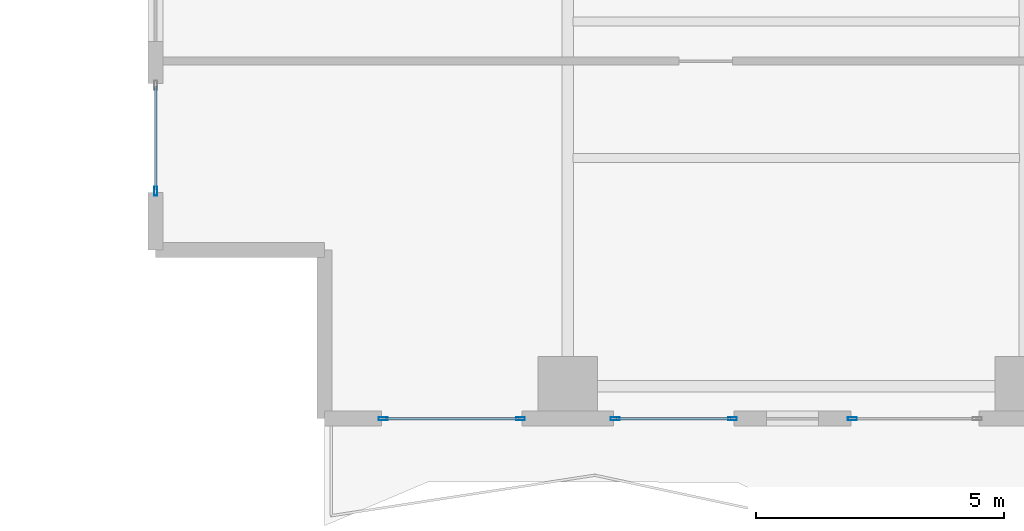
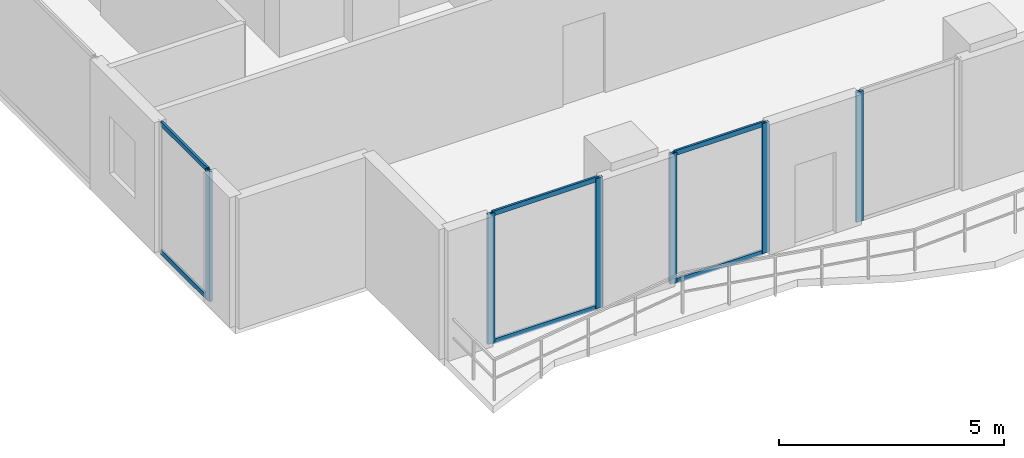
# One storey, part 2 of 33: 12 members, 4 elements without a shape of their own.
"""IFC4 building model written with IfcOpenShell, lengths in metres."""

from ifc_helpers import new_model, si_unit, direction, frame, origin, origin_2d, place, context, subcontext, project, spatial, hollow_rectangle, extrude, material, layer, layer_set, material_profile, profile_set, type_object, element, aggregate, save


model = new_model("IFC4")

# Units and contexts
model_context = context("Model", 3, precision=1e-05, world=origin(), true_north=direction((0.0, 1.0)))
body_context = subcontext(model_context, "Body", "Model", "MODEL_VIEW")
ifc_project = project(units=[si_unit("LENGTHUNIT", "METRE"), si_unit("AREAUNIT", "SQUARE_METRE"), si_unit("VOLUMEUNIT", "CUBIC_METRE"), si_unit("PLANEANGLEUNIT", "RADIAN"), si_unit("MASSUNIT", "GRAM", prefix="KILO")], contexts=[model_context])

# Site, building, storey
site_placement = place(None, origin())
site = spatial("IfcSite", under=ifc_project, at=site_placement, CompositionType="ELEMENT")
building_placement = place(site_placement, origin())
building = spatial("IfcBuilding", under=site, at=building_placement, Name="Zuhayl Quay Hotel", CompositionType="ELEMENT")
storey_placement = place(building_placement, frame((0.0, 0.0, 211.14990234375)))
storey = spatial("IfcBuildingStorey", under=building, at=storey_placement, Name="L53", CompositionType="ELEMENT", Elevation=211.14990234375)

# Curtain wall, member
ifc_material_1 = material(Name="Anodised Aluminium 6063-T6", Category="aluminium")
ifc_layer = layer(ifc_material_1, 0.175048828125, Name="Anodised Aluminium 6063-T6", Category="aluminium")
ifc_layer_set = layer_set([ifc_layer], Name="Anodised Aluminium 6063-T6")
curtain_wall_type = type_object("IfcCurtainWallType", Name="CW_SYS_Z3", PredefinedType="USERDEFINED", material=ifc_layer_set)
curtain_wall_1_placement = place(storey_placement, origin())
curtain_wall_1 = element("IfcCurtainWall", 1, at=curtain_wall_1_placement, inside=storey, type_object=curtain_wall_type, Name="L53 Curtain Wall ENV_L53_E02_CW1", ObjectType="UNITISED CURTAIN WALL", PredefinedType="USERDEFINED")
ifc_material_2 = material(Name="Black-anodised aluminium 6063-T6", Category="aluminium")
ifc_material_profile_1 = material_profile(ifc_material_2, hollow_rectangle(XDim=0.06494140625, YDim=0.179931640625, WallThickness=0.00341796875, at=origin_2d()), Name="ALU180X65")
ifc_profile_set_1 = profile_set([ifc_material_profile_1], Name="Black-anodised aluminium 6063-T6")
member_type_1 = type_object("IfcMemberType", Name="MB_CW_MUL_180", PredefinedType="MULLION", material=ifc_profile_set_1)
member_1_placement = place(storey_placement, frame((-22.10009765625, -3.017578125, 0.0), z_axis=(0.0, 0.0, 1.0), x_axis=(-1.0, 0.0, 0.0)))
member_1 = element("IfcMember", 2, at=member_1_placement, type_object=member_type_1, Name="CW-Z3 mullion 1", PredefinedType="MULLION", context=body_context, shape_type="SweptSolid", body=[
    extrude(hollow_rectangle(XDim=0.06494140625, YDim=0.179931640625, WallThickness=0.00341796875, at=origin_2d()), origin(), (0.0, 0.0, 1.0), 3.530029296875),
])

curtain_wall_2_placement = place(storey_placement, origin())
curtain_wall_2 = element("IfcCurtainWall", 3, at=curtain_wall_2_placement, inside=storey, type_object=curtain_wall_type, Name="L53 Curtain Wall ENV_L53_S_CW5", ObjectType="UNITISED CURTAIN WALL", PredefinedType="USERDEFINED")
member_2_placement = place(storey_placement, frame((-8.0673828125, -7.60009765625, 0.0), z_axis=(0.0, 0.0, 1.0), x_axis=(0.0, -1.0, 0.0)))
member_2 = element("IfcMember", 4, at=member_2_placement, type_object=member_type_1, Name="CW-Z3 mullion 2", PredefinedType="MULLION", context=body_context, shape_type="SweptSolid", body=[
    extrude(hollow_rectangle(XDim=0.06494140625, YDim=0.179931640625, WallThickness=0.00341796875, at=origin_2d()), origin(), (0.0, 0.0, 1.0), 3.530029296875),
])
aggregate(curtain_wall_2, [member_2])

# Curtain wall, members
curtain_wall_3_placement = place(storey_placement, origin())
curtain_wall_3 = element("IfcCurtainWall", 5, at=curtain_wall_3_placement, inside=storey, type_object=curtain_wall_type, Name="L53 Curtain Wall ENV_L53_S_CW6", ObjectType="UNITISED CURTAIN WALL", PredefinedType="USERDEFINED")
member_3_placement = place(storey_placement, frame((-10.482421875, -7.60009765625, 0.0), z_axis=(0.0, 0.0, 1.0), x_axis=(0.0, -1.0, 0.0)))
member_3 = element("IfcMember", 6, at=member_3_placement, type_object=member_type_1, Name="CW-Z3 mullion 1", PredefinedType="MULLION", context=body_context, shape_type="SweptSolid", body=[
    extrude(hollow_rectangle(XDim=0.06494140625, YDim=0.179931640625, WallThickness=0.00341796875, at=origin_2d()), origin(), (0.0, 0.0, 1.0), 3.530029296875),
])
member_4_placement = place(storey_placement, frame((-12.847412109375, -7.60009765625, 0.0), z_axis=(0.0, 0.0, 1.0), x_axis=(0.0, -1.0, 0.0)))
member_4 = element("IfcMember", 7, at=member_4_placement, type_object=member_type_1, Name="CW-Z3 mullion 2", PredefinedType="MULLION", context=body_context, shape_type="SweptSolid", body=[
    extrude(hollow_rectangle(XDim=0.06494140625, YDim=0.179931640625, WallThickness=0.00341796875, at=origin_2d()), origin(), (0.0, 0.0, 1.0), 3.530029296875),
])

curtain_wall_4_placement = place(storey_placement, origin())
curtain_wall_4 = element("IfcCurtainWall", 8, at=curtain_wall_4_placement, inside=storey, type_object=curtain_wall_type, Name="L53 Curtain Wall ENV_L53_S_CW7", ObjectType="UNITISED CURTAIN WALL", PredefinedType="USERDEFINED")
member_5_placement = place(storey_placement, frame((-14.75244140625, -7.60009765625, 0.0), z_axis=(0.0, 0.0, 1.0), x_axis=(0.0, -1.0, 0.0)))
member_5 = element("IfcMember", 9, at=member_5_placement, type_object=member_type_1, Name="CW-Z3 mullion 1", PredefinedType="MULLION", context=body_context, shape_type="SweptSolid", body=[
    extrude(hollow_rectangle(XDim=0.06494140625, YDim=0.179931640625, WallThickness=0.00341796875, at=origin_2d()), origin(), (0.0, 0.0, 1.0), 3.530029296875),
])
member_6_placement = place(storey_placement, frame((-17.517578125, -7.60009765625, 0.0), z_axis=(0.0, 0.0, 1.0), x_axis=(0.0, -1.0, 0.0)))
member_6 = element("IfcMember", 10, at=member_6_placement, type_object=member_type_1, Name="CW-Z3 mullion 2", PredefinedType="MULLION", context=body_context, shape_type="SweptSolid", body=[
    extrude(hollow_rectangle(XDim=0.06494140625, YDim=0.179931640625, WallThickness=0.00341796875, at=origin_2d()), origin(), (0.0, 0.0, 1.0), 3.530029296875),
])

# Member
ifc_material_profile_2 = material_profile(ifc_material_2, hollow_rectangle(XDim=0.054931640625, YDim=0.1298828125, WallThickness=0.0029296875, at=origin_2d()), Name="ALU130X55")
ifc_profile_set_2 = profile_set([ifc_material_profile_2], Name="Black-anodised aluminium 6063-T6")
member_type_2 = type_object("IfcMemberType", Name="MB_CW_TRN_130", PredefinedType="USERDEFINED", material=ifc_profile_set_2)
member_7_placement = place(storey_placement, frame((-22.10009765625, -2.985107421875, 0.027587890625), z_axis=(0.0, 1.0, 0.0), x_axis=(-1.0, 0.0, 0.0)))
member_7 = element("IfcMember", 11, at=member_7_placement, type_object=member_type_2, Name="CW-Z3 transom 1.1", ObjectType="TRANSOM", PredefinedType="USERDEFINED", context=body_context, shape_type="SweptSolid", body=[
    extrude(hollow_rectangle(XDim=0.054931640625, YDim=0.1298828125, WallThickness=0.0029296875, at=origin_2d()), origin(), (0.0, 0.0, 1.0), 2.070068359375),
])

member_8_placement = place(storey_placement, frame((-22.10009765625, -2.985107421875, 3.502685546875), z_axis=(0.0, 1.0, 0.0), x_axis=(-1.0, 0.0, 0.0)))
member_8 = element("IfcMember", 12, at=member_8_placement, type_object=member_type_2, Name="CW-Z3 transom 1.2", ObjectType="TRANSOM", PredefinedType="USERDEFINED", context=body_context, shape_type="SweptSolid", body=[
    extrude(hollow_rectangle(XDim=0.054931640625, YDim=0.1298828125, WallThickness=0.0029296875, at=origin_2d()), origin(), (0.0, 0.0, 1.0), 2.070068359375),
])

aggregate(curtain_wall_1, [member_1, member_7, member_8])

member_9_placement = place(storey_placement, frame((-10.514892578125, -7.60009765625, 0.027587890625), z_axis=(-1.0, 0.0, 0.0), x_axis=(0.0, -1.0, 0.0)))
member_9 = element("IfcMember", 13, at=member_9_placement, type_object=member_type_2, Name="CW-Z3 transom 1.1", ObjectType="TRANSOM", PredefinedType="USERDEFINED", context=body_context, shape_type="SweptSolid", body=[
    extrude(hollow_rectangle(XDim=0.054931640625, YDim=0.1298828125, WallThickness=0.0029296875, at=origin_2d()), origin(), (0.0, 0.0, 1.0), 2.300048828125),
])

member_10_placement = place(storey_placement, frame((-10.514892578125, -7.60009765625, 3.502685546875), z_axis=(-1.0, 0.0, 0.0), x_axis=(0.0, -1.0, 0.0)))
member_10 = element("IfcMember", 14, at=member_10_placement, type_object=member_type_2, Name="CW-Z3 transom 1.2", ObjectType="TRANSOM", PredefinedType="USERDEFINED", context=body_context, shape_type="SweptSolid", body=[
    extrude(hollow_rectangle(XDim=0.054931640625, YDim=0.1298828125, WallThickness=0.0029296875, at=origin_2d()), origin(), (0.0, 0.0, 1.0), 2.300048828125),
])

aggregate(curtain_wall_3, [member_3, member_4, member_9, member_10])

member_11_placement = place(storey_placement, frame((-14.784912109375, -7.60009765625, 0.027587890625), z_axis=(-1.0, 0.0, 0.0), x_axis=(0.0, -1.0, 0.0)))
member_11 = element("IfcMember", 15, at=member_11_placement, type_object=member_type_2, Name="CW-Z3 transom 1.1", ObjectType="TRANSOM", PredefinedType="USERDEFINED", context=body_context, shape_type="SweptSolid", body=[
    extrude(hollow_rectangle(XDim=0.054931640625, YDim=0.1298828125, WallThickness=0.0029296875, at=origin_2d()), origin(), (0.0, 0.0, 1.0), 2.7001953125),
])

member_12_placement = place(storey_placement, frame((-14.784912109375, -7.60009765625, 3.502685546875), z_axis=(-1.0, 0.0, 0.0), x_axis=(0.0, -1.0, 0.0)))
member_12 = element("IfcMember", 16, at=member_12_placement, type_object=member_type_2, Name="CW-Z3 transom 1.2", ObjectType="TRANSOM", PredefinedType="USERDEFINED", context=body_context, shape_type="SweptSolid", body=[
    extrude(hollow_rectangle(XDim=0.054931640625, YDim=0.1298828125, WallThickness=0.0029296875, at=origin_2d()), origin(), (0.0, 0.0, 1.0), 2.7001953125),
])

aggregate(curtain_wall_4, [member_5, member_6, member_11, member_12])

save(model, "model.ifc")
